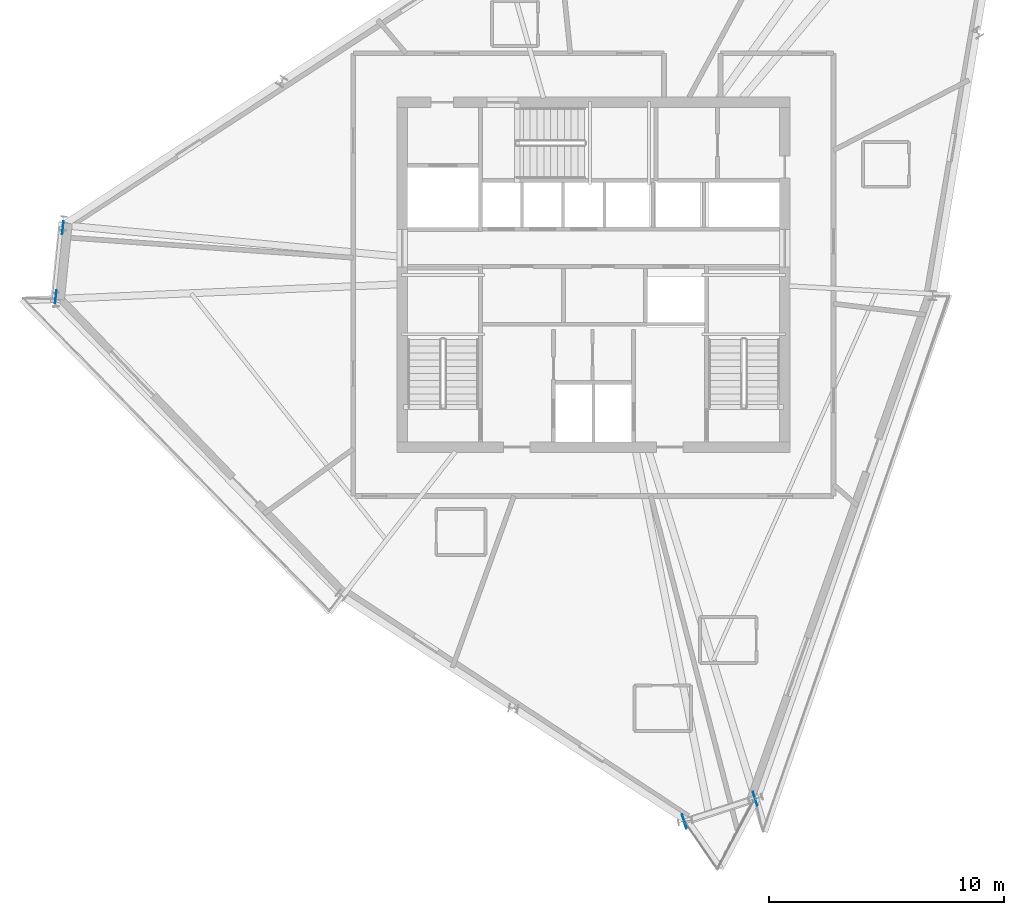
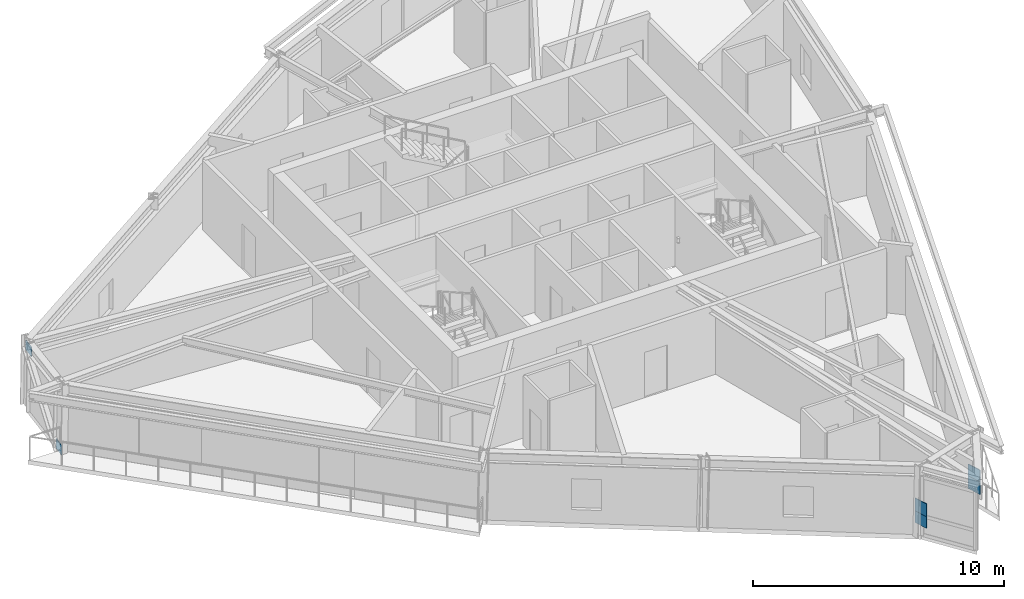
# One storey, part 5 of 13: 6 plates.
"""IFC4 building model written with IfcOpenShell, lengths in metres."""

from ifc_helpers import new_model, si_unit, direction, frame, origin, origin_2d, place, context, subcontext, project, spatial, rectangle, extrude, source, transform, mapped, material, type_object, element, save


model = new_model("IFC4")

# Units and contexts
model_context = context("Model", 3, precision=1e-05, world=origin(), true_north=direction((0.0, 1.0)))
body_context = subcontext(model_context, "Body", "Model", "MODEL_VIEW")
ifc_project = project(units=[si_unit("LENGTHUNIT", "METRE"), si_unit("AREAUNIT", "SQUARE_METRE"), si_unit("VOLUMEUNIT", "CUBIC_METRE"), si_unit("PLANEANGLEUNIT", "RADIAN"), si_unit("MASSUNIT", "GRAM", prefix="KILO")], contexts=[model_context])

# Site, building, storey
site_placement = place(None, origin())
site = spatial("IfcSite", under=ifc_project, at=site_placement, CompositionType="ELEMENT")
building_placement = place(site_placement, origin())
building = spatial("IfcBuilding", under=site, at=building_placement, Name="Olszyna Solenne Hotel", CompositionType="ELEMENT")
storey_placement = place(building_placement, frame((0.0, 0.0, 248.89990234375)))
storey = spatial("IfcBuildingStorey", under=building, at=storey_placement, Name="L66", CompositionType="ELEMENT", Elevation=248.89990234375)

# Plates
ifc_material_1 = material(Name="Steel S460M", Category="steel")
plate_type_1 = type_object("IfcPlateType", Name="GP-CAP2", PredefinedType="USERDEFINED", material=ifc_material_1)
shared_shape_1 = source(origin(), body_context, "Body", "SweptSolid", [
    extrude(rectangle(XDim=0.030029296875, YDim=0.6201171875, at=origin_2d()), origin(), (0.0, 0.0, 1.0), 0.6201171875),
])
for number, where, z_axis, x_axis, name in (
    (1, (41.860595703125, 3.370361328125, 1.0400390625), (0.0, 0.0, 1.0), (0.951862260753, 0.306526078098, 0.0), "Hollow section end-cap plate GP-CAP2 CP-PR-M-L66-PR1-1"),
    (2, (44.8701171875, 4.339599609375, 1.0400390625), (0.0, 0.0, 1.0), (0.951862260753, 0.306526078098, 0.0), "Hollow section end-cap plate GP-CAP2 CP-PR-M-L66-PR1-2"),
    (3, (41.860595703125, 3.370361328125, 0.469970703125), (0.0, 0.0, 1.0), (0.951862260753, 0.306526078098, 0.0), "Hollow section end-cap plate GP-CAP2 CP-PR-M-L66-PR2-1"),
    (4, (44.8701171875, 4.339599609375, 0.469970703125), (0.0, 0.0, 1.0), (0.951862260753, 0.306526078098, 0.0), "Hollow section end-cap plate GP-CAP2 CP-PR-M-L66-PR2-2"),
):
    element("IfcPlate", number, at=place(storey_placement, frame(where, z_axis=z_axis, x_axis=x_axis)), inside=storey, type_object=plate_type_1, Name=name, ObjectType="GUSSET_PLATE", PredefinedType="USERDEFINED", context=body_context, shape_type="MappedRepresentation", body=[
        mapped(shared_shape_1, transform((0.0, 0.0, 0.0), x_axis=(1.0, 0.0, 0.0), y_axis=(0.0, 1.0, 0.0), z_axis=(0.0, 0.0, 1.0), scale=1.0)),
    ])
ifc_material_2 = material(Name="Steel S355J2", Category="steel")
plate_type_2 = type_object("IfcPlateType", Name="GP-ND2", PredefinedType="USERDEFINED", material=ifc_material_2)
shared_shape_2 = source(origin(), body_context, "Body", "SweptSolid", [
    extrude(rectangle(XDim=0.56005859375, YDim=0.02001953125, at=origin_2d()), origin(), (0.0, 0.0, 1.0), 0.47998046875),
])
for number, where, z_axis, x_axis, name in (
    (5, (15.1591796875, 25.66162109375, -0.1318359375), (0.0, 0.0, 1.0), (0.102098078224, 0.994774337437, 0.0), "Brace end connection gusset plate GP-ND2 EP-BR-L66-2-1"),
    (6, (15.460693359375, 28.598388671875, 2.76708984375), (0.0, 0.0, 1.0), (0.102098078224, 0.994774337437, 0.0), "Brace end connection gusset plate GP-ND2 EP-BR-L66-2-2"),
):
    element("IfcPlate", number, at=place(storey_placement, frame(where, z_axis=z_axis, x_axis=x_axis)), inside=storey, type_object=plate_type_2, Name=name, ObjectType="GUSSET_PLATE", PredefinedType="USERDEFINED", context=body_context, shape_type="MappedRepresentation", body=[
        mapped(shared_shape_2, transform((0.0, 0.0, 0.0), x_axis=(1.0, 0.0, 0.0), y_axis=(0.0, 1.0, 0.0), z_axis=(0.0, 0.0, 1.0), scale=1.0)),
    ])

save(model, "model.ifc")
